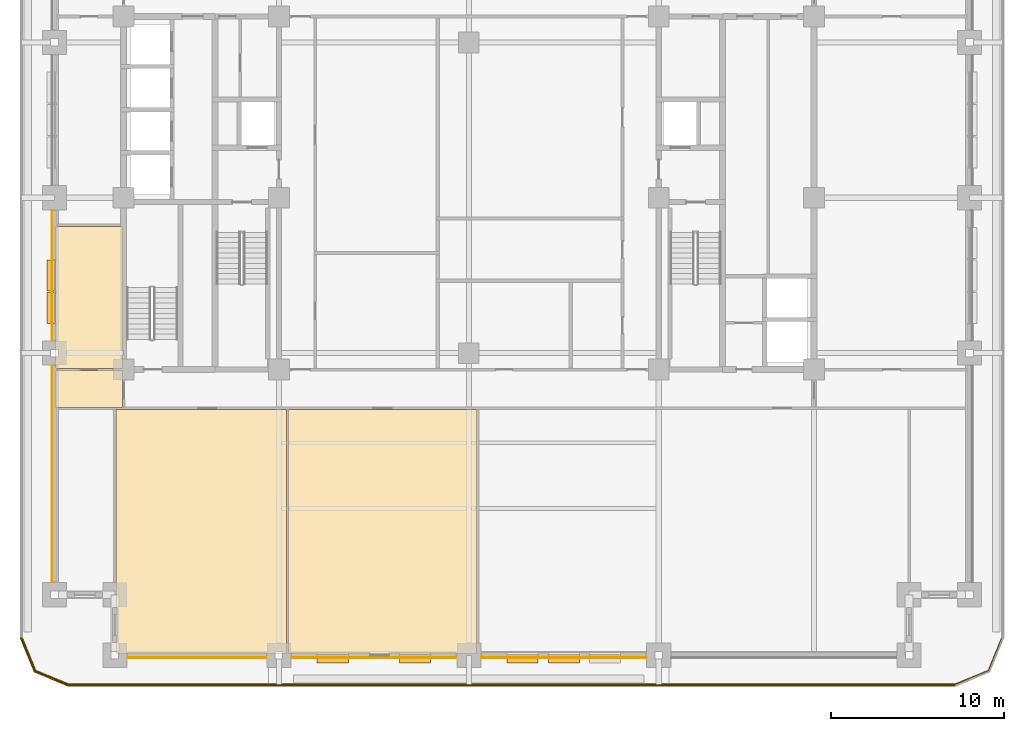
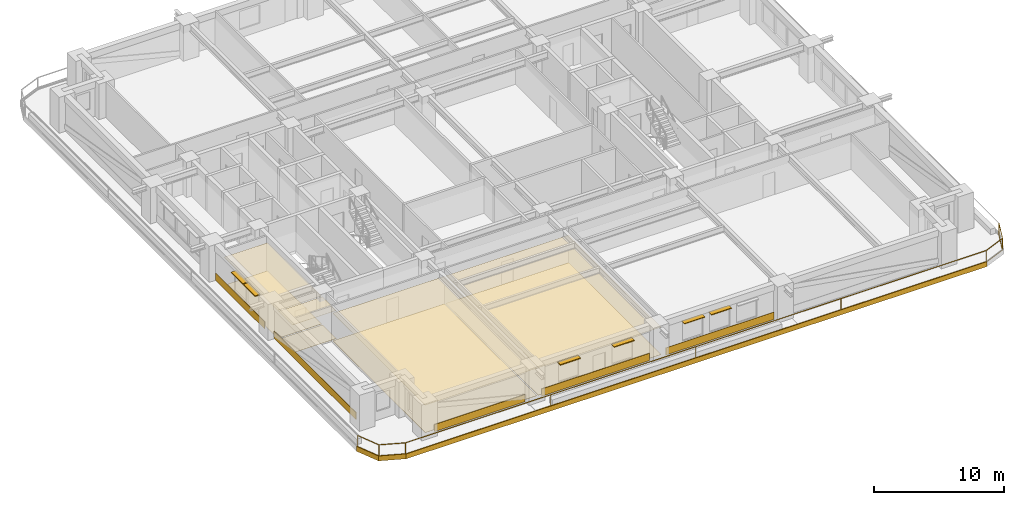
# One storey, part 7 of 13: 16 coverings, 6 shading devices, 1 railing.
"""IFC4 building model written with IfcOpenShell, lengths in metres."""

import ifcopenshell
import ifcopenshell.guid

model = None  # the IFC model being written
_history = None  # IfcOwnerHistory: only IFC2X3 demands one
_inside = {}  # id of a spatial element -> (the spatial element, [elements in it])
_under = {}  # id of a project, library or spatial element -> (it, [spatial elements below it])
_declared = {}  # id of a project -> (the project, [libraries it declares])
_typed = {}  # id of a type object -> (the type object, [elements of that type])
_made_of = {}  # id of a material, layer set ... -> (it, [elements and type objects made of it])


def new_model(schema):
    """Start an empty IFC model of exactly this schema.

    Asked for "IFC4X3", IfcOpenShell would pick the latest addendum, in which some entities
    have other attributes; the version numbers below select the first issue.
    IFC2X3 requires an IfcOwnerHistory on every rooted entity: one is made here for all.
    """
    global model, _history
    if schema == "IFC4X3":
        model = ifcopenshell.file(schema_version=(4, 3, 0, 0))
    else:
        model = ifcopenshell.file(schema=schema)
    _inside.clear()
    _under.clear()
    _declared.clear()
    _typed.clear()
    _made_of.clear()
    _history = None
    if model.schema == "IFC2X3":
        org = make("IfcOrganization", Name="unknown")
        user = make(
            "IfcPersonAndOrganization",
            ThePerson=make("IfcPerson", FamilyName="unknown"),
            TheOrganization=org,
        )
        app = make(
            "IfcApplication",
            ApplicationDeveloper=org,
            Version="unknown",
            ApplicationFullName="unknown",
            ApplicationIdentifier="unknown",
        )
        _history = make(
            "IfcOwnerHistory",
            OwningUser=user,
            OwningApplication=app,
            ChangeAction="ADDED",
            CreationDate=0,
        )
    return model


def make(cls, **values):
    """One entity of the class cls with the attributes given. An attribute that is None is left unset."""
    return model.create_entity(
        cls, **{name: value for name, value in values.items() if value is not None}
    )


def rooted(cls, **values):
    """An entity with a GlobalId (a new one), such as an element, a storey or a relation."""
    return make(cls, GlobalId=ifcopenshell.guid.new(), OwnerHistory=_history, **values)


def si_unit(unit_type, name, prefix=None):
    """IfcSIUnit, for example si_unit("LENGTHUNIT", "METRE", prefix="MILLI")."""
    return make("IfcSIUnit", UnitType=unit_type, Prefix=prefix, Name=name)


def assignment(units):
    """IfcUnitAssignment: the units of a project."""
    return None if units is None else make("IfcUnitAssignment", Units=units)


def point(xyz):
    """IfcCartesianPoint."""
    return None if xyz is None else make("IfcCartesianPoint", Coordinates=xyz)


def direction(xyz):
    """IfcDirection."""
    return None if xyz is None else make("IfcDirection", DirectionRatios=xyz)


def frame(location, z_axis=None, x_axis=None):
    """IfcAxis2Placement3D, a coordinate frame: its origin and axes. An axis left out is left unset."""
    return make(
        "IfcAxis2Placement3D",
        Location=point(location),
        Axis=direction(z_axis),
        RefDirection=direction(x_axis),
    )


def frame_2d(location, x_axis=None):
    """IfcAxis2Placement2D, a coordinate frame in the plane: its origin and x axis."""
    return make(
        "IfcAxis2Placement2D", Location=point(location), RefDirection=direction(x_axis)
    )


def origin():
    """The frame at (0, 0, 0) with its axes left unset."""
    return frame((0.0, 0.0, 0.0))


def origin_2d():
    """The frame at (0, 0) in the plane with its x axis left unset."""
    return frame_2d((0.0, 0.0))


def place(relative_to, where):
    """IfcLocalPlacement: puts the frame where relative to a parent placement (None: the world)."""
    return make(
        "IfcLocalPlacement", PlacementRelTo=relative_to, RelativePlacement=where
    )


def context(
    kind, dimensions, precision=None, world=None, true_north=None, identifier=None
):
    """IfcGeometricRepresentationContext, for example the 3D "Model" context."""
    return make(
        "IfcGeometricRepresentationContext",
        ContextIdentifier=identifier,
        ContextType=kind,
        CoordinateSpaceDimension=dimensions,
        Precision=precision,
        WorldCoordinateSystem=world,
        TrueNorth=true_north,
    )


def subcontext(parent, identifier, kind, view, scale=None):
    """IfcGeometricRepresentationSubContext, for example "Body" below "Model"."""
    return make(
        "IfcGeometricRepresentationSubContext",
        ContextIdentifier=identifier,
        ContextType=kind,
        ParentContext=parent,
        TargetScale=scale,
        TargetView=view,
    )


def project(units=None, contexts=None):
    """IfcProject with its units and contexts."""
    return rooted(
        "IfcProject",
        Name="project",
        RepresentationContexts=contexts,
        UnitsInContext=assignment(units),
    )


def spatial(cls, under=None, at=None, **own):
    """A site, building, storey or space (cls), placed at a placement, below another one or the project."""
    s = rooted(cls, ObjectPlacement=at, **own)
    if under is not None:
        _under.setdefault(under.id(), (under, []))[1].append(s)
    return s


def polyline(points):
    """IfcPolyline through the points."""
    return make("IfcPolyline", Points=[point(p) for p in points])


def profile(cls, at=None, kind="AREA", **sizes):
    """A parametric profile (cls). Its sizes go by their IFC names, for example OverallWidth=200.0."""
    return make(cls, ProfileType=kind, Position=at, **sizes)


def rectangle(**sizes):
    """IfcRectangleProfileDef."""
    return profile("IfcRectangleProfileDef", **sizes)


def outline(outer, holes=None, kind="AREA"):
    """IfcArbitraryClosedProfileDef: a profile drawn as a closed curve; with holes, ...WithVoids."""
    if holes is None:
        return make("IfcArbitraryClosedProfileDef", ProfileType=kind, OuterCurve=outer)
    return make(
        "IfcArbitraryProfileDefWithVoids",
        ProfileType=kind,
        OuterCurve=outer,
        InnerCurves=holes,
    )


def extrude(swept, where, along, depth):
    """IfcExtrudedAreaSolid: the profile swept, set in the frame where, extruded along a direction by depth."""
    return make(
        "IfcExtrudedAreaSolid",
        SweptArea=swept,
        Position=where,
        ExtrudedDirection=direction(along),
        Depth=depth,
    )


def shape(context_of_items, identifier, shape_type, items):
    """IfcShapeRepresentation: the items that make up one representation, for example the "Body"."""
    return make(
        "IfcShapeRepresentation",
        ContextOfItems=context_of_items,
        RepresentationIdentifier=identifier,
        RepresentationType=shape_type,
        Items=items,
    )


def material(Name=None, Category=None):
    """IfcMaterial."""
    return make("IfcMaterial", Name=Name, Category=Category)


def layer(
    of_material, thickness, ventilated=None, Name=None, Category=None, Priority=None
):
    """IfcMaterialLayer: one layer of a wall or slab, of a material (None: an air gap)."""
    return make(
        "IfcMaterialLayer",
        Material=of_material,
        LayerThickness=thickness,
        IsVentilated=ventilated,
        Name=Name,
        Category=Category,
        Priority=Priority,
    )


def layer_set(layers, Name=None):
    """IfcMaterialLayerSet."""
    return make("IfcMaterialLayerSet", MaterialLayers=layers, LayerSetName=Name)


def made_of(thing, what):
    """Note that an element or type object is made of a material, layer set ...; save() writes the relation."""
    if what is not None:
        _made_of.setdefault(what.id(), (what, []))[1].append(thing)
    return thing


def type_object(cls, material=None, **own):
    """A type object (cls), such as IfcWallType, which elements share."""
    return made_of(rooted(cls, **own), material)


def element(
    cls,
    number,
    at=None,
    inside=None,
    cuts=None,
    type_object=None,
    material=None,
    context=None,
    identifier="Body",
    shape_type=None,
    held_by="IfcProductDefinitionShape",
    body=None,
    shapes=None,
    **own,
):
    """One element of the class cls, such as IfcWall. Its Tag is "e" and its number.

    at: its placement. inside: the storey or other place that contains it. cuts: it is an
    opening in that element (IfcRelVoidsElement). A single representation is given by context,
    identifier, shape_type and body (its items); several are given by shapes. held_by: the class
    of the entity that holds the representations. save() writes the other relations.
    """
    e = rooted(cls, Tag="e%d" % number, ObjectPlacement=at, **own)
    if body is not None:
        shapes = [shape(context, identifier, shape_type, body)]
    if shapes is not None:
        e.Representation = make(held_by, Representations=shapes)
    if inside is not None:
        _inside.setdefault(inside.id(), (inside, []))[1].append(e)
    if cuts is not None:
        rooted(
            "IfcRelVoidsElement", RelatingBuildingElement=cuts, RelatedOpeningElement=e
        )
    if type_object is not None:
        _typed.setdefault(type_object.id(), (type_object, []))[1].append(e)
    return made_of(e, material)


def aggregate(whole, parts):
    """IfcRelAggregates: a whole, such as a stair, and the parts it consists of."""
    return rooted("IfcRelAggregates", RelatingObject=whole, RelatedObjects=parts)


def save(model, path):
    """Write the relations noted so far, then the file.

    IfcRelAggregates (storeys below a building ...), IfcRelContainedInSpatialStructure (elements
    in a storey), IfcRelDefinesByType, IfcRelAssociatesMaterial and IfcRelDeclares: one each for
    every whole, place, type object, material and project.
    """
    for whole, parts in _under.values():
        aggregate(whole, parts)
    for where, things in _inside.values():
        rooted(
            "IfcRelContainedInSpatialStructure",
            RelatedElements=things,
            RelatingStructure=where,
        )
    for kind, things in _typed.values():
        rooted("IfcRelDefinesByType", RelatedObjects=things, RelatingType=kind)
    for what, things in _made_of.values():
        rooted("IfcRelAssociatesMaterial", RelatedObjects=things, RelatingMaterial=what)
    for by, libraries in _declared.values():
        rooted("IfcRelDeclares", RelatingContext=by, RelatedDefinitions=libraries)
    model.write(path)


model = new_model("IFC4")

# Units and contexts
model_context = context("Model", 3, precision=1e-05, world=origin(), true_north=direction((0.0, 1.0)))
body_context = subcontext(model_context, "Body", "Model", "MODEL_VIEW")
ifc_project = project(units=[si_unit("LENGTHUNIT", "METRE"), si_unit("AREAUNIT", "SQUARE_METRE"), si_unit("VOLUMEUNIT", "CUBIC_METRE"), si_unit("PLANEANGLEUNIT", "RADIAN"), si_unit("MASSUNIT", "GRAM", prefix="KILO")], contexts=[model_context])

# Site, building, storey
site_placement = place(None, origin())
site = spatial("IfcSite", under=ifc_project, at=site_placement, CompositionType="ELEMENT")
building_placement = place(site_placement, origin())
building = spatial("IfcBuilding", under=site, at=building_placement, Name="Zulmaris Gate Convention Tower", CompositionType="ELEMENT")
storey_placement = place(building_placement, frame((0.0, 0.0, 34.340087890625)))
storey = spatial("IfcBuildingStorey", under=building, at=storey_placement, Name="L07", CompositionType="ELEMENT", Elevation=34.340087890625)

# Coverings
ifc_material_1 = material(Name="Precast concrete C40/50", Category="concrete")
ifc_layer_1 = layer(ifc_material_1, 0.0400390625, Name="Precast concrete C40/50")
ifc_layer_set_1 = layer_set([ifc_layer_1], Name="Precast concrete C40/50")
covering_type_1 = type_object("IfcCoveringType", Name="CLAD-SPANDREL-PRECAST", PredefinedType="CLADDING", material=ifc_layer_set_1)
covering_1_placement = place(storey_placement, frame((-19.77001953125, -26.64990234375, 0.0), z_axis=(0.0, 0.0, 1.0), x_axis=(1.0, 0.0, 0.0)))
element("IfcCovering", 1, at=covering_1_placement, inside=storey, type_object=covering_type_1, Name="CLD-L07-S-0_0", PredefinedType="CLADDING", context=body_context, shape_type="SweptSolid", body=[
    extrude(rectangle(XDim=8.0400390625, YDim=0.0400390625, at=frame_2d((4.02001953125, 0.0))), origin(), (0.0, 0.0, 1.0), 0.679931640625),
])
for number, where, z_axis, x_axis, name in (
    (2, (-10.27001953125, -26.64990234375, 0.0), (0.0, 0.0, 1.0), (1.0, 0.0, 0.0), "CLD-L07-S-1_0"),
    (3, (0.72998046875, -26.64990234375, 0.0), (0.0, 0.0, 1.0), (1.0, 0.0, 0.0), "CLD-L07-S-2_0"),
):
    element("IfcCovering", number, at=place(storey_placement, frame(where, z_axis=z_axis, x_axis=x_axis)), inside=storey, type_object=covering_type_1, Name=name, PredefinedType="CLADDING", context=body_context, shape_type="SweptSolid", body=[
        extrude(rectangle(XDim=9.5400390625, YDim=0.0400390625, at=frame_2d((4.77001953125, 0.0))), origin(), (0.0, 0.0, 1.0), 0.679931640625),
    ])
covering_2_placement = place(storey_placement, frame((-24.14990234375, -9.72998046875, 0.0), z_axis=(0.0, 0.0, 1.0), x_axis=(0.0, -1.0, 0.0)))
element("IfcCovering", 4, at=covering_2_placement, inside=storey, type_object=covering_type_1, Name="CLD-L07-W-0_0", PredefinedType="CLADDING", context=body_context, shape_type="SweptSolid", body=[
    extrude(rectangle(XDim=12.5400390625, YDim=0.0400390625, at=frame_2d((6.27001953125, 0.0))), origin(), (0.0, 0.0, 1.0), 0.679931640625),
])
covering_3_placement = place(storey_placement, frame((-24.14990234375, -0.72998046875, 0.0), z_axis=(0.0, 0.0, 1.0), x_axis=(0.0, -1.0, 0.0)))
element("IfcCovering", 5, at=covering_3_placement, inside=storey, type_object=covering_type_1, Name="CLD-L07-W-1_0", PredefinedType="CLADDING", context=body_context, shape_type="SweptSolid", body=[
    extrude(rectangle(XDim=7.5400390625, YDim=0.0400390625, at=frame_2d((3.77001953125, 0.0))), origin(), (0.0, 0.0, 1.0), 0.679931640625),
])
ifc_material_2 = material(Name="White Glazed Architectural Precast Concrete C40/50", Category="concrete")
ifc_layer_2 = layer(ifc_material_2, 0.080078125, Name="White Glazed Architectural Precast Concrete C40/50")
ifc_layer_set_2 = layer_set([ifc_layer_2], Name="White Glazed Architectural Precast Concrete C40/50")
covering_type_2 = type_object("IfcCoveringType", Name="CLAD-TRAY-FASCIA", PredefinedType="CLADDING", material=ifc_layer_set_2)
covering_4_placement = place(storey_placement, frame((-25.962890625, -25.484619140625, -0.340087890625), z_axis=(0.0, 0.0, 1.0), x_axis=(0.382656984709, -0.923890487046, 0.0)))
element("IfcCovering", 6, at=covering_4_placement, inside=storey, type_object=covering_type_2, Name="FSC-L07-TR-00", PredefinedType="CLADDING", context=body_context, shape_type="SweptSolid", body=[
    extrude(rectangle(XDim=2.14306640625, YDim=0.080078125, at=frame_2d((1.071533203125, 0.0))), origin(), (0.0, 0.0, 1.0), 0.460205078125),
])
covering_5_placement = place(storey_placement, frame((-25.16455078125, -27.44287109375, -0.340087890625), z_axis=(0.0, 0.0, 1.0), x_axis=(0.923873803533, -0.382697263049, 0.0)))
element("IfcCovering", 7, at=covering_5_placement, inside=storey, type_object=covering_type_2, Name="FSC-L07-TR-01", PredefinedType="CLADDING", context=body_context, shape_type="SweptSolid", body=[
    extrude(rectangle(XDim=2.142822265625, YDim=0.080078125, at=frame_2d((1.0712890625, 0.0))), origin(), (0.0, 0.0, 1.0), 0.460205078125),
])
covering_6_placement = place(storey_placement, frame((-23.199951171875, -28.260009765625, -0.340087890625), z_axis=(0.0, 0.0, 1.0), x_axis=(1.0, 0.0, 0.0)))
element("IfcCovering", 8, at=covering_6_placement, inside=storey, type_object=covering_type_2, Name="FSC-L07-TR-02", PredefinedType="CLADDING", context=body_context, shape_type="SweptSolid", body=[
    extrude(rectangle(XDim=51.39990234375, YDim=0.080078125, at=frame_2d((25.699951171875, 0.0))), origin(), (0.0, 0.0, 1.0), 0.460205078125),
])
ifc_material_3 = material(Name="Mineral Fibre Acoustic Ceiling Tile")
ifc_layer_3 = layer(ifc_material_3, 0.02001953125, Name="Mineral Fibre Acoustic Ceiling Tile")
ifc_layer_set_3 = layer_set([ifc_layer_3], Name="Mineral Fibre Acoustic Ceiling Tile")
covering_type_3 = type_object("IfcCoveringType", Name="CLG-ACOUSTIC-600", PredefinedType="CEILING", material=ifc_layer_set_3)
covering_7_placement = place(storey_placement, frame((0.0, 0.0, 2.577880859375)))
element("IfcCovering", 9, at=covering_7_placement, inside=storey, type_object=covering_type_3, Name="CLG-L07-R36", PredefinedType="CEILING", context=body_context, shape_type="SweptSolid", body=[
    extrude(outline(polyline([(-20.43994140625, -26.43994140625), (-10.56005859375, -26.43994140625), (-10.56005859375, -12.260009765625), (-20.43994140625, -12.260009765625), (-20.43994140625, -26.43994140625)])), origin(), (0.0, 0.0, 1.0), 0.02001953125),
])
covering_8_placement = place(storey_placement, frame((0.0, 0.0, 2.577880859375)))
element("IfcCovering", 10, at=covering_8_placement, inside=storey, type_object=covering_type_3, Name="CLG-L07-R37", PredefinedType="CEILING", context=body_context, shape_type="SweptSolid", body=[
    extrude(outline(polyline([(-10.43994140625, -26.43994140625), (0.43994140625, -26.43994140625), (0.43994140625, -12.260009765625), (-10.43994140625, -12.260009765625), (-10.43994140625, -26.43994140625)])), origin(), (0.0, 0.0, 1.0), 0.02001953125),
])
covering_9_placement = place(storey_placement, frame((0.0, 0.0, 2.6279296875)))
element("IfcCovering", 11, at=covering_9_placement, inside=storey, type_object=covering_type_3, Name="CLG-L07-R46", PredefinedType="CEILING", context=body_context, shape_type="SweptSolid", body=[
    extrude(outline(polyline([(-23.93994140625, -12.139892578125), (-20.06005859375, -12.139892578125), (-20.06005859375, -10.010009765625), (-23.93994140625, -10.010009765625), (-23.93994140625, -12.139892578125)])), origin(), (0.0, 0.0, 1.0), 0.019775390625),
])
covering_10_placement = place(storey_placement, frame((0.0, 0.0, 2.6279296875)))
element("IfcCovering", 12, at=covering_10_placement, inside=storey, type_object=covering_type_3, Name="CLG-L07-R48", PredefinedType="CEILING", context=body_context, shape_type="SweptSolid", body=[
    extrude(outline(polyline([(-23.93994140625, -9.889892578125), (-20.06005859375, -9.889892578125), (-20.06005859375, -1.659912109375), (-23.93994140625, -1.659912109375), (-23.93994140625, -9.889892578125)])), origin(), (0.0, 0.0, 1.0), 0.019775390625),
])
ifc_material_4 = material(Name="Woven Acoustic Wool Carpet Tile")
ifc_layer_4 = layer(ifc_material_4, 0.02001953125, Name="Woven Acoustic Wool Carpet Tile")
ifc_layer_set_4 = layer_set([ifc_layer_4], Name="Woven Acoustic Wool Carpet Tile")
covering_type_4 = type_object("IfcCoveringType", Name="FLR-CARPET-12", PredefinedType="FLOORING", material=ifc_layer_set_4)
covering_11_placement = place(storey_placement, origin())
element("IfcCovering", 13, at=covering_11_placement, inside=storey, type_object=covering_type_4, Name="FLR-L07-R37", PredefinedType="FLOORING", context=body_context, shape_type="SweptSolid", body=[
    extrude(outline(polyline([(-10.43994140625, -26.43994140625), (0.43994140625, -26.43994140625), (0.43994140625, -12.260009765625), (-10.43994140625, -12.260009765625), (-10.43994140625, -26.43994140625)])), origin(), (0.0, 0.0, 1.0), 0.02001953125),
])
covering_12_placement = place(storey_placement, origin())
element("IfcCovering", 14, at=covering_12_placement, inside=storey, type_object=covering_type_4, Name="FLR-L07-R46", PredefinedType="FLOORING", context=body_context, shape_type="SweptSolid", body=[
    extrude(outline(polyline([(-23.93994140625, -12.139892578125), (-20.06005859375, -12.139892578125), (-20.06005859375, -10.010009765625), (-23.93994140625, -10.010009765625), (-23.93994140625, -12.139892578125)])), origin(), (0.0, 0.0, 1.0), 0.02001953125),
])
covering_13_placement = place(storey_placement, origin())
element("IfcCovering", 15, at=covering_13_placement, inside=storey, type_object=covering_type_4, Name="FLR-L07-R48", PredefinedType="FLOORING", context=body_context, shape_type="SweptSolid", body=[
    extrude(outline(polyline([(-23.93994140625, -9.889892578125), (-20.06005859375, -9.889892578125), (-20.06005859375, -1.659912109375), (-23.93994140625, -1.659912109375), (-23.93994140625, -9.889892578125)])), origin(), (0.0, 0.0, 1.0), 0.02001953125),
])
ifc_material_5 = material(Name="Engineered Teak Parquet Flooring")
ifc_layer_5 = layer(ifc_material_5, 0.02001953125, Name="Engineered Teak Parquet Flooring")
ifc_layer_set_5 = layer_set([ifc_layer_5], Name="Engineered Teak Parquet Flooring")
covering_type_5 = type_object("IfcCoveringType", Name="FLR-TIMBER-18", PredefinedType="FLOORING", material=ifc_layer_set_5)
covering_14_placement = place(storey_placement, origin())
element("IfcCovering", 16, at=covering_14_placement, inside=storey, type_object=covering_type_5, Name="FLR-L07-R36", PredefinedType="FLOORING", context=body_context, shape_type="SweptSolid", body=[
    extrude(outline(polyline([(-20.43994140625, -26.43994140625), (-10.56005859375, -26.43994140625), (-10.56005859375, -12.260009765625), (-20.43994140625, -12.260009765625), (-20.43994140625, -26.43994140625)])), origin(), (0.0, 0.0, 1.0), 0.02001953125),
])

# Railing
ifc_material_6 = material(Name="Laminated Glass and Stainless Steel", Category="steel")
railing_type = type_object("IfcRailingType", Name="RL-BALC-1150", PredefinedType="BALUSTRADE", material=ifc_material_6)
railing_placement = place(storey_placement, frame((-25.8798828125, -25.5, -0.0400390625)))
element("IfcRailing", 17, at=railing_placement, inside=storey, type_object=railing_type, Name="RL-L07-BALC-S", PredefinedType="BALUSTRADE", context=body_context, shape_type="SweptSolid", body=[
    extrude(rectangle(XDim=0.048095703125, YDim=0.048095703125, at=origin_2d()), frame((0.0, 0.0, 1.1259765625), z_axis=(0.382670664694, -0.92388482095, 0.0), x_axis=(0.92388482095, 0.382670664694, 0.0)), (0.0, 0.0, 1.0), 2.051025390625),
    extrude(rectangle(XDim=0.048095703125, YDim=0.048095703125, at=origin_2d()), frame((0.0, 0.0, 0.02392578125), z_axis=(0.382670664694, -0.92388482095, 0.0), x_axis=(0.92388482095, 0.382670664694, 0.0)), (0.0, 0.0, 1.0), 2.051025390625),
    extrude(rectangle(XDim=0.048095703125, YDim=0.048095703125, at=origin_2d()), frame((0.784912109375, -1.89501953125, 1.1259765625), z_axis=(0.92388482095, -0.382670664694, 0.0), x_axis=(0.382670664694, 0.92388482095, 0.0)), (0.0, 0.0, 1.0), 2.051025390625),
    extrude(rectangle(XDim=0.048095703125, YDim=0.048095703125, at=origin_2d()), frame((0.784912109375, -1.89501953125, 0.02392578125), z_axis=(0.92388482095, -0.382670664694, 0.0), x_axis=(0.382670664694, 0.92388482095, 0.0)), (0.0, 0.0, 1.0), 2.051025390625),
    extrude(rectangle(XDim=0.048095703125, YDim=0.048095703125, at=origin_2d()), frame((2.679931640625, -2.679931640625, 1.1259765625), z_axis=(1.0, 0.0, 0.0), x_axis=(0.0, 1.0, 0.0)), (0.0, 0.0, 1.0), 51.39990234375),
    extrude(rectangle(XDim=0.048095703125, YDim=0.048095703125, at=origin_2d()), frame((2.679931640625, -2.679931640625, 0.02392578125), z_axis=(1.0, 0.0, 0.0), x_axis=(0.0, 1.0, 0.0)), (0.0, 0.0, 1.0), 51.39990234375),
    extrude(rectangle(XDim=0.048095703125, YDim=0.048095703125, at=origin_2d()), frame((54.079833984375, -2.679931640625, 1.1259765625), z_axis=(0.92388482095, 0.382670664694, 0.0), x_axis=(-0.382670664694, 0.92388482095, 0.0)), (0.0, 0.0, 1.0), 2.051025390625),
    extrude(rectangle(XDim=0.048095703125, YDim=0.048095703125, at=origin_2d()), frame((54.079833984375, -2.679931640625, 0.02392578125), z_axis=(0.92388482095, 0.382670664694, 0.0), x_axis=(-0.382670664694, 0.92388482095, 0.0)), (0.0, 0.0, 1.0), 2.051025390625),
    extrude(rectangle(XDim=0.048095703125, YDim=0.048095703125, at=origin_2d()), frame((55.974853515625, -1.89501953125, 1.1259765625), z_axis=(0.382670664694, 0.92388482095, 0.0), x_axis=(-0.92388482095, 0.382670664694, 0.0)), (0.0, 0.0, 1.0), 2.051025390625),
    extrude(rectangle(XDim=0.048095703125, YDim=0.048095703125, at=origin_2d()), frame((55.974853515625, -1.89501953125, 0.02392578125), z_axis=(0.382670664694, 0.92388482095, 0.0), x_axis=(-0.92388482095, 0.382670664694, 0.0)), (0.0, 0.0, 1.0), 2.051025390625),
    extrude(rectangle(XDim=0.0419921875, YDim=0.0419921875, at=origin_2d()), origin(), (0.0, 0.0, 1.0), 1.101806640625),
    extrude(rectangle(XDim=0.0419921875, YDim=0.0419921875, at=origin_2d()), frame((0.784912109375, -1.89501953125, 0.0)), (0.0, 0.0, 1.0), 1.101806640625),
    extrude(rectangle(XDim=0.0419921875, YDim=0.0419921875, at=origin_2d()), frame((2.679931640625, -2.679931640625, 0.0)), (0.0, 0.0, 1.0), 1.101806640625),
    extrude(rectangle(XDim=0.0419921875, YDim=0.0419921875, at=origin_2d()), frame((15.52978515625, -2.679931640625, 0.0)), (0.0, 0.0, 1.0), 1.101806640625),
    extrude(rectangle(XDim=0.0419921875, YDim=0.0419921875, at=origin_2d()), frame((28.3798828125, -2.679931640625, 0.0)), (0.0, 0.0, 1.0), 1.101806640625),
    extrude(rectangle(XDim=0.0419921875, YDim=0.0419921875, at=origin_2d()), frame((41.22998046875, -2.679931640625, 0.0)), (0.0, 0.0, 1.0), 1.101806640625),
    extrude(rectangle(XDim=0.0419921875, YDim=0.0419921875, at=origin_2d()), frame((54.079833984375, -2.679931640625, 0.0)), (0.0, 0.0, 1.0), 1.101806640625),
    extrude(rectangle(XDim=0.0419921875, YDim=0.0419921875, at=origin_2d()), frame((55.974853515625, -1.89501953125, 0.0)), (0.0, 0.0, 1.0), 1.101806640625),
    extrude(rectangle(XDim=0.0419921875, YDim=0.0419921875, at=origin_2d()), frame((56.759765625, 0.0, 0.0)), (0.0, 0.0, 1.0), 1.101806640625),
])

# Shading devices
ifc_material_7 = material(Name="Glazed Ceramic Terracotta", Category="masonry")
ifc_layer_6 = layer(ifc_material_7, 0.070068359375, Name="Glazed Ceramic Terracotta")
ifc_layer_set_6 = layer_set([ifc_layer_6], Name="Glazed Ceramic Terracotta")
shading_device_type = type_object("IfcShadingDeviceType", Name="SHD-SUNSHADE-TC", PredefinedType="AWNING", material=ifc_layer_set_6)
for number, where, z_axis, x_axis, name in (
    (18, (-8.784912109375, -26.719970703125, 2.530029296875), (0.0, 0.0, 1.0), (1.0, 0.0, 0.0), "SHD-EW-L07-S-1_0-1"),
    (19, (-4.014892578125, -26.719970703125, 2.530029296875), (0.0, 0.0, 1.0), (1.0, 0.0, 0.0), "SHD-EW-L07-S-1_0-3"),
    (20, (2.215087890625, -26.719970703125, 2.530029296875), (0.0, 0.0, 1.0), (1.0, 0.0, 0.0), "SHD-EW-L07-S-2_0-1"),
    (21, (4.60009765625, -26.719970703125, 2.530029296875), (0.0, 0.0, 1.0), (1.0, 0.0, 0.0), "SHD-EW-L07-S-2_0-2"),
    (22, (-24.219970703125, -3.60009765625, 2.530029296875), (0.0, 0.0, 1.0), (0.0, -1.0, 0.0), "SHD-EW-L07-W-1_0-2"),
    (23, (-24.219970703125, -5.485107421875, 2.530029296875), (0.0, 0.0, 1.0), (0.0, -1.0, 0.0), "SHD-EW-L07-W-1_0-3"),
):
    element("IfcShadingDevice", number, at=place(storey_placement, frame(where, z_axis=z_axis, x_axis=x_axis)), inside=storey, type_object=shading_device_type, Name=name, PredefinedType="AWNING", context=body_context, shape_type="SweptSolid", body=[
        extrude(rectangle(XDim=1.7998046875, YDim=0.43994140625, at=frame_2d((0.89990234375, 0.0))), origin(), (0.0, 0.0, 1.0), 0.070068359375),
    ])

save(model, "model.ifc")
